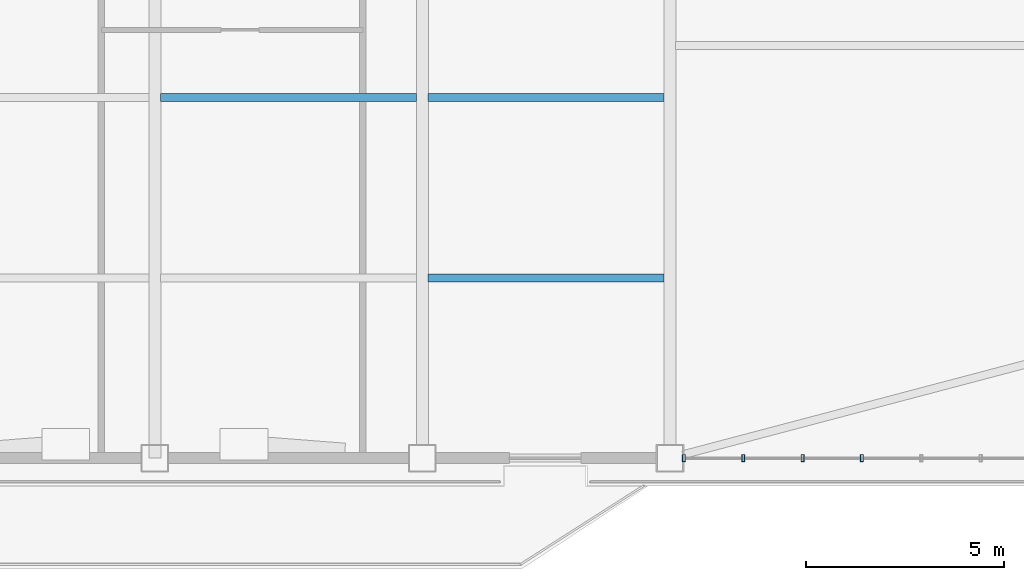
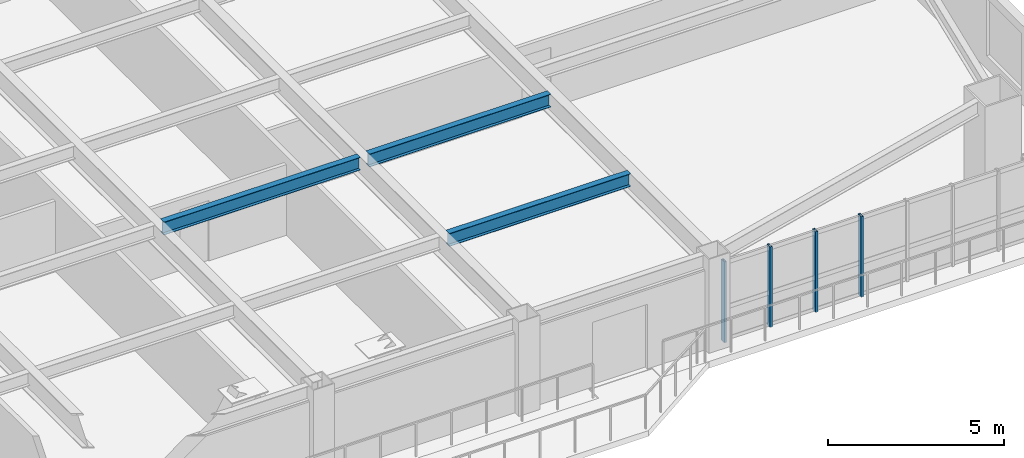
# One storey, part 4 of 15: 4 members, 3 beams, 1 element without a shape of its own.
"""IFC4 building model written with IfcOpenShell, lengths in metres."""

from ifc_helpers import new_model, si_unit, direction, frame, origin, origin_2d, place, context, subcontext, project, spatial, hollow_rectangle, i_section, extrude, source, transform, mapped, material, layer, layer_set, material_profile, profile_set, type_object, element, aggregate, save


model = new_model("IFC4")

# Units and contexts
model_context = context("Model", 3, precision=1e-05, world=origin(), true_north=direction((0.0, 1.0)))
body_context = subcontext(model_context, "Body", "Model", "MODEL_VIEW")
ifc_project = project(units=[si_unit("LENGTHUNIT", "METRE"), si_unit("AREAUNIT", "SQUARE_METRE"), si_unit("VOLUMEUNIT", "CUBIC_METRE"), si_unit("PLANEANGLEUNIT", "RADIAN"), si_unit("MASSUNIT", "GRAM", prefix="KILO")], contexts=[model_context])

# Site, building, storey
site_placement = place(None, origin())
site = spatial("IfcSite", under=ifc_project, at=site_placement, CompositionType="ELEMENT")
building_placement = place(site_placement, origin())
building = spatial("IfcBuilding", under=site, at=building_placement, Name="Giltprow Tower", CompositionType="ELEMENT")
storey_placement = place(building_placement, frame((0.0, 0.0, 184.199951171875)))
storey = spatial("IfcBuildingStorey", under=building, at=storey_placement, Name="L46", CompositionType="ELEMENT", Elevation=184.199951171875)

# Beams
ifc_material_1 = material(Name="Structural steel Q355B", Category="steel")
ifc_material_profile_1 = material_profile(ifc_material_1, i_section(OverallWidth=0.199951171875, OverallDepth=0.449951171875, WebThickness=0.009033203125, FlangeThickness=0.013916015625, at=origin_2d()), Name="HN 450x200x9x14")
ifc_profile_set_1 = profile_set([ifc_material_profile_1], Name="Structural steel Q355B")
beam_type = type_object("IfcBeamType", Name="BM-JOIST-HN450", PredefinedType="JOIST", material=ifc_profile_set_1)
shared_shape_1 = source(origin(), body_context, "Body", "SweptSolid", [
    extrude(i_section(OverallWidth=0.199951171875, OverallDepth=0.449951171875, WebThickness=0.009033203125, FlangeThickness=0.013916015625, at=origin_2d()), origin(), (0.0, 0.0, 1.0), 6.4599609375),
])
beam_placement = place(storey_placement, frame((37.695068359375, 19.2529296875, 3.045166015625), z_axis=(1.0, 0.0, 0.0), x_axis=(0.0, 1.0, 0.0)))
element("IfcBeam", 1, at=beam_placement, inside=storey, type_object=beam_type, Name="L46 Composite Floor Joist 2-3", PredefinedType="JOIST", context=body_context, shape_type="MappedRepresentation", body=[
    mapped(shared_shape_1, transform((0.0, 0.0, 0.0), x_axis=(1.0, 0.0, 0.0), y_axis=(0.0, 1.0, 0.0), z_axis=(0.0, 0.0, 1.0), scale=1.0)),
])
shared_shape_2 = source(origin(), body_context, "Body", "SweptSolid", [
    extrude(i_section(OverallWidth=0.199951171875, OverallDepth=0.449951171875, WebThickness=0.009033203125, FlangeThickness=0.013916015625, at=origin_2d()), origin(), (0.0, 0.0, 1.0), 5.9599609375),
])
for number, where, z_axis, x_axis, name in (
    (2, (44.445068359375, 14.702880859375, 3.045166015625), (1.0, 0.0, 0.0), (0.0, 1.0, 0.0), "L46 Composite Floor Joist 1-4"),
    (3, (44.445068359375, 19.2529296875, 3.045166015625), (1.0, 0.0, 0.0), (0.0, 1.0, 0.0), "L46 Composite Floor Joist 2-4"),
):
    element("IfcBeam", number, at=place(storey_placement, frame(where, z_axis=z_axis, x_axis=x_axis)), inside=storey, type_object=beam_type, Name=name, PredefinedType="JOIST", context=body_context, shape_type="MappedRepresentation", body=[
        mapped(shared_shape_2, transform((0.0, 0.0, 0.0), x_axis=(1.0, 0.0, 0.0), y_axis=(0.0, 1.0, 0.0), z_axis=(0.0, 0.0, 1.0), scale=1.0)),
    ])

# Curtain wall, members
ifc_material_2 = material(Name="Anodized bronze", Category="metal")
ifc_layer = layer(ifc_material_2, 0.179931640625, Name="Anodized bronze")
ifc_layer_set = layer_set([ifc_layer], Name="Anodized bronze")
curtain_wall_type = type_object("IfcCurtainWallType", Name="CW-HTL-BRONZE", PredefinedType="NOTDEFINED", material=ifc_layer_set)
curtain_wall_placement = place(storey_placement, origin())
curtain_wall = element("IfcCurtainWall", 4, at=curtain_wall_placement, inside=storey, type_object=curtain_wall_type, Name="L46 South Recessed Curtain Wall 6", PredefinedType="NOTDEFINED")
ifc_material_profile_2 = material_profile(ifc_material_2, hollow_rectangle(XDim=0.074951171875, YDim=0.179931640625, WallThickness=0.008056640625, at=origin_2d()), Name="RHS 180x75x8")
ifc_profile_set_2 = profile_set([ifc_material_profile_2], Name="Anodized bronze")
member_type = type_object("IfcMemberType", Name="CW-MULLION-180x75", PredefinedType="MULLION", material=ifc_profile_set_2)
shared_shape_3 = source(origin(), body_context, "Body", "SweptSolid", [
    extrude(hollow_rectangle(XDim=0.074951171875, YDim=0.179931640625, WallThickness=0.008056640625, at=origin_2d()), origin(), (0.0, 0.0, 1.0), 2.80517578125),
])
member_1_placement = place(storey_placement, frame((50.89990234375, 10.154052734375, -0.02001953125), z_axis=(0.0, 0.0, 1.0), x_axis=(1.0, 0.0, 0.0)))
member_1 = element("IfcMember", 5, at=member_1_placement, type_object=member_type, Name="L46 South Recessed Curtain Wall 6 Mullion 1", PredefinedType="MULLION", context=body_context, shape_type="MappedRepresentation", body=[
    mapped(shared_shape_3, transform((0.0, 0.0, 0.0), x_axis=(1.0, 0.0, 0.0), y_axis=(0.0, 1.0, 0.0), z_axis=(0.0, 0.0, 1.0), scale=1.0)),
])
member_2_placement = place(storey_placement, frame((52.39794921875, 10.154052734375, -0.02001953125), z_axis=(0.0, 0.0, 1.0), x_axis=(1.0, 0.0, 0.0)))
member_2 = element("IfcMember", 6, at=member_2_placement, type_object=member_type, Name="L46 South Recessed Curtain Wall 6 Mullion 2", PredefinedType="MULLION", context=body_context, shape_type="MappedRepresentation", body=[
    mapped(shared_shape_3, transform((0.0, 0.0, 0.0), x_axis=(1.0, 0.0, 0.0), y_axis=(0.0, 1.0, 0.0), z_axis=(0.0, 0.0, 1.0), scale=1.0)),
])
member_3_placement = place(storey_placement, frame((53.89599609375, 10.154052734375, -0.02001953125), z_axis=(0.0, 0.0, 1.0), x_axis=(1.0, 0.0, 0.0)))
member_3 = element("IfcMember", 7, at=member_3_placement, type_object=member_type, Name="L46 South Recessed Curtain Wall 6 Mullion 3", PredefinedType="MULLION", context=body_context, shape_type="MappedRepresentation", body=[
    mapped(shared_shape_3, transform((0.0, 0.0, 0.0), x_axis=(1.0, 0.0, 0.0), y_axis=(0.0, 1.0, 0.0), z_axis=(0.0, 0.0, 1.0), scale=1.0)),
])
member_4_placement = place(storey_placement, frame((55.39404296875, 10.154052734375, -0.02001953125), z_axis=(0.0, 0.0, 1.0), x_axis=(1.0, 0.0, 0.0)))
member_4 = element("IfcMember", 8, at=member_4_placement, type_object=member_type, Name="L46 South Recessed Curtain Wall 6 Mullion 4", PredefinedType="MULLION", context=body_context, shape_type="MappedRepresentation", body=[
    mapped(shared_shape_3, transform((0.0, 0.0, 0.0), x_axis=(1.0, 0.0, 0.0), y_axis=(0.0, 1.0, 0.0), z_axis=(0.0, 0.0, 1.0), scale=1.0)),
])
aggregate(curtain_wall, [member_1, member_2, member_3, member_4])

save(model, "model.ifc")
